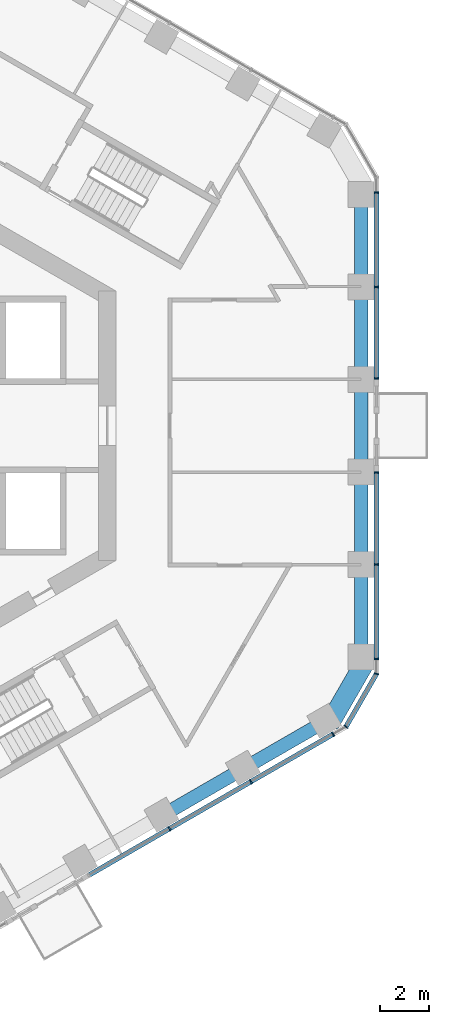
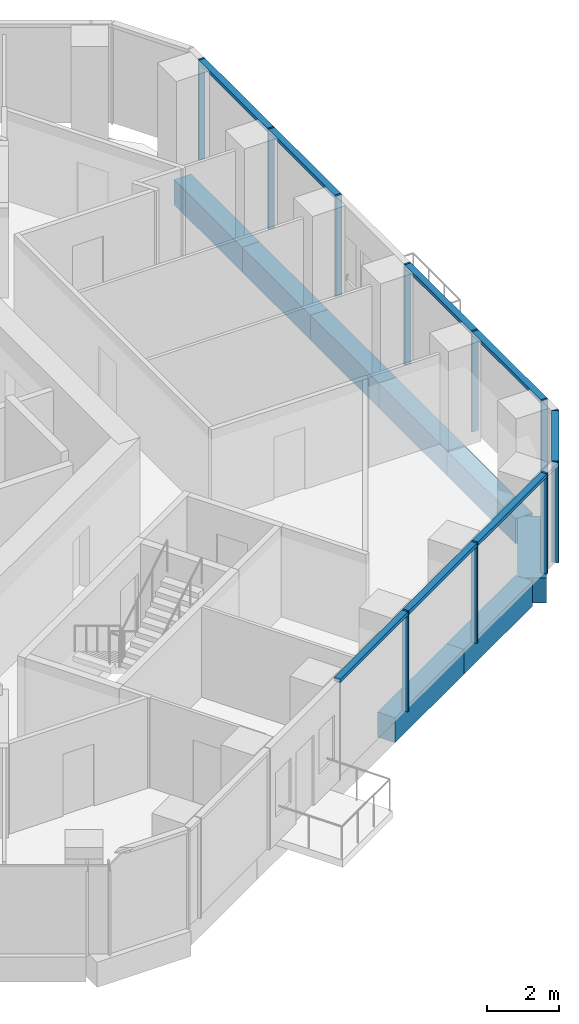
# One storey, part 5 of 20: 15 members, 8 beams, 4 elements without a shape of their own.
"""IFC4 building model written with IfcOpenShell, lengths in metres."""

from ifc_helpers import new_model, si_unit, direction, frame, origin, origin_2d, place, context, subcontext, project, spatial, rectangle, extrude, material, layer, layer_set, material_profile, profile_set, type_object, element, aggregate, save


model = new_model("IFC4")

# Units and contexts
model_context = context("Model", 3, precision=1e-05, world=origin(), true_north=direction((0.0, 1.0)))
body_context = subcontext(model_context, "Body", "Model", "MODEL_VIEW")
ifc_project = project(units=[si_unit("LENGTHUNIT", "METRE"), si_unit("AREAUNIT", "SQUARE_METRE"), si_unit("VOLUMEUNIT", "CUBIC_METRE"), si_unit("PLANEANGLEUNIT", "RADIAN"), si_unit("MASSUNIT", "GRAM", prefix="KILO")], contexts=[model_context])

# Site, building, storey
site_placement = place(None, origin())
site = spatial("IfcSite", under=ifc_project, at=site_placement, CompositionType="ELEMENT")
building_placement = place(site_placement, origin())
building = spatial("IfcBuilding", under=site, at=building_placement, Name="Ayvan Gate Tower", CompositionType="ELEMENT")
storey_placement = place(building_placement, frame((0.0, 0.0, 86.5)))
storey = spatial("IfcBuildingStorey", under=building, at=storey_placement, Name="L22", CompositionType="ELEMENT", Elevation=86.5)

# Beams
ifc_material_1 = material(Name="Concrete C40/50", Category="concrete")
ifc_material_profile_1 = material_profile(ifc_material_1, rectangle(XDim=0.800048828125, YDim=0.85009765625, at=origin_2d()), Name="RC 800x850")
ifc_profile_set_1 = profile_set([ifc_material_profile_1], Name="Concrete C40/50")
beam_type_1 = type_object("IfcBeamType", Name="Corner spandrel beam RC 800x850 C40/50", PredefinedType="BEAM", material=ifc_profile_set_1)
beam_1_placement = place(storey_placement, frame((18.176025390625, -12.173095703125, -0.77490234375), z_axis=(0.499990139034, 0.866031096941, 0.0), x_axis=(-0.866031096941, 0.499990139034, 0.0)))
element("IfcBeam", 1, at=beam_1_placement, inside=storey, type_object=beam_type_1, Name="SB-L22-36", PredefinedType="BEAM", context=body_context, shape_type="SweptSolid", body=[
    extrude(rectangle(XDim=0.800048828125, YDim=0.85009765625, at=origin_2d()), origin(), (0.0, 0.0, 1.0), 3.0),
])
ifc_material_profile_2 = material_profile(ifc_material_1, rectangle(XDim=0.550048828125, YDim=0.85009765625, at=origin_2d()), Name="RC 550x850")
ifc_profile_set_2 = profile_set([ifc_material_profile_2], Name="Concrete C40/50")
beam_type_2 = type_object("IfcBeamType", Name="Spandrel beam RC 550x850 C40/50", PredefinedType="BEAM", material=ifc_profile_set_2)
beam_2_placement = place(storey_placement, frame((19.485595703125, -9.465087890625, -0.77490234375), z_axis=(0.0, 1.0, 0.0), x_axis=(-1.0, 0.0, 0.0)))
element("IfcBeam", 2, at=beam_2_placement, inside=storey, type_object=beam_type_2, Name="SB-L22-1", PredefinedType="BEAM", context=body_context, shape_type="SweptSolid", body=[
    extrude(rectangle(XDim=0.550048828125, YDim=0.85009765625, at=origin_2d()), origin(), (0.0, 0.0, 1.0), 3.7861328125),
])
beam_3_placement = place(storey_placement, frame((19.485595703125, -5.678955078125, -0.77490234375), z_axis=(0.0, 1.0, 0.0), x_axis=(-1.0, 0.0, 0.0)))
element("IfcBeam", 3, at=beam_3_placement, inside=storey, type_object=beam_type_2, Name="SB-L22-2", PredefinedType="BEAM", context=body_context, shape_type="SweptSolid", body=[
    extrude(rectangle(XDim=0.550048828125, YDim=0.85009765625, at=origin_2d()), origin(), (0.0, 0.0, 1.0), 3.785888671875),
])
beam_4_placement = place(storey_placement, frame((19.485595703125, -1.89306640625, -0.77490234375), z_axis=(0.0, 1.0, 0.0), x_axis=(-1.0, 0.0, 0.0)))
element("IfcBeam", 4, at=beam_4_placement, inside=storey, type_object=beam_type_2, Name="SB-L22-3", PredefinedType="BEAM", context=body_context, shape_type="SweptSolid", body=[
    extrude(rectangle(XDim=0.550048828125, YDim=0.85009765625, at=origin_2d()), origin(), (0.0, 0.0, 1.0), 3.7861328125),
])
beam_5_placement = place(storey_placement, frame((19.485595703125, 1.89306640625, -0.77490234375), z_axis=(0.0, 1.0, 0.0), x_axis=(-1.0, 0.0, 0.0)))
element("IfcBeam", 5, at=beam_5_placement, inside=storey, type_object=beam_type_2, Name="SB-L22-4", PredefinedType="BEAM", context=body_context, shape_type="SweptSolid", body=[
    extrude(rectangle(XDim=0.550048828125, YDim=0.85009765625, at=origin_2d()), origin(), (0.0, 0.0, 1.0), 3.785888671875),
])
beam_6_placement = place(storey_placement, frame((19.485595703125, 5.678955078125, -0.77490234375), z_axis=(0.0, 1.0, 0.0), x_axis=(-1.0, 0.0, 0.0)))
element("IfcBeam", 6, at=beam_6_placement, inside=storey, type_object=beam_type_2, Name="SB-L22-5", PredefinedType="BEAM", context=body_context, shape_type="SweptSolid", body=[
    extrude(rectangle(XDim=0.550048828125, YDim=0.85009765625, at=origin_2d()), origin(), (0.0, 0.0, 1.0), 3.7861328125),
])
beam_7_placement = place(storey_placement, frame((11.373046875, -15.880859375, -0.77490234375), z_axis=(0.866010930507, 0.500025067614, 0.0), x_axis=(-0.500025067614, 0.866010930507, 0.0)))
element("IfcBeam", 7, at=beam_7_placement, inside=storey, type_object=beam_type_2, Name="SB-L22-34", PredefinedType="BEAM", context=body_context, shape_type="SweptSolid", body=[
    extrude(rectangle(XDim=0.550048828125, YDim=0.85009765625, at=origin_2d()), origin(), (0.0, 0.0, 1.0), 3.817626953125),
])
beam_8_placement = place(storey_placement, frame((14.67919921875, -13.971923828125, -0.77490234375), z_axis=(0.866054607372, 0.49994941449, 0.0), x_axis=(-0.49994941449, 0.866054607372, 0.0)))
element("IfcBeam", 8, at=beam_8_placement, inside=storey, type_object=beam_type_2, Name="SB-L22-35", PredefinedType="BEAM", context=body_context, shape_type="SweptSolid", body=[
    extrude(rectangle(XDim=0.550048828125, YDim=0.85009765625, at=origin_2d()), origin(), (0.0, 0.0, 1.0), 3.81787109375),
])

# Curtain wall, members
ifc_material_2 = material(Name="Bronze anodised aluminium", Category="aluminium")
ifc_layer_1 = layer(ifc_material_2, 0.199951171875)
ifc_layer_set_1 = layer_set([ifc_layer_1], Name="Bronze anodised aluminium")
curtain_wall_type_1 = type_object("IfcCurtainWallType", Name="Stick curtain wall CW-1", PredefinedType="NOTDEFINED", material=ifc_layer_set_1)
curtain_wall_1_placement = place(storey_placement, origin())
curtain_wall_1 = element("IfcCurtainWall", 9, at=curtain_wall_1_placement, inside=storey, type_object=curtain_wall_type_1, Name="Stick curtain wall CW-1 L22", PredefinedType="NOTDEFINED")
ifc_material_profile_3 = material_profile(ifc_material_2, rectangle(XDim=0.199951171875, YDim=0.06005859375, at=origin_2d()), Name="Stick curtain wall CW-1 mullion 200 x 60")
ifc_profile_set_3 = profile_set([ifc_material_profile_3], Name="Bronze anodised aluminium")
member_type_1 = type_object("IfcMemberType", Name="Stick curtain wall CW-1 mullion 200 x 60", PredefinedType="MULLION", material=ifc_profile_set_3)
member_1_placement = place(storey_placement, frame((11.682861328125, -16.408203125, 0.0), z_axis=(0.0, 0.0, 1.0), x_axis=(0.5, -0.866025403784, 0.0)))
member_1 = element("IfcMember", 10, at=member_1_placement, type_object=member_type_1, Name="CW-1 mullion 2", PredefinedType="MULLION", context=body_context, shape_type="SweptSolid", body=[
    extrude(rectangle(XDim=0.199951171875, YDim=0.06005859375, at=origin_2d()), origin(), (0.0, 0.0, 1.0), 3.39990234375),
])
member_2_placement = place(storey_placement, frame((14.997802734375, -14.494140625, 0.0), z_axis=(0.0, 0.0, 1.0), x_axis=(0.5, -0.866025403784, 0.0)))
member_2 = element("IfcMember", 11, at=member_2_placement, type_object=member_type_1, Name="CW-1 mullion 3", PredefinedType="MULLION", context=body_context, shape_type="SweptSolid", body=[
    extrude(rectangle(XDim=0.199951171875, YDim=0.06005859375, at=origin_2d()), origin(), (0.0, 0.0, 1.0), 3.39990234375),
])
member_3_placement = place(storey_placement, frame((18.34326171875, -12.5625, 0.0), z_axis=(0.0, 0.0, 1.0), x_axis=(0.5, -0.866025403784, 0.0)))
member_3 = element("IfcMember", 12, at=member_3_placement, type_object=member_type_1, Name="CW-1 mullion 4", PredefinedType="MULLION", context=body_context, shape_type="SweptSolid", body=[
    extrude(rectangle(XDim=0.199951171875, YDim=0.06005859375, at=origin_2d()), origin(), (0.0, 0.0, 1.0), 3.39990234375),
])

curtain_wall_2_placement = place(storey_placement, origin())
curtain_wall_2 = element("IfcCurtainWall", 13, at=curtain_wall_2_placement, inside=storey, type_object=curtain_wall_type_1, Name="Stick curtain wall CW-1 L22", PredefinedType="NOTDEFINED")
member_4_placement = place(storey_placement, frame((20.110595703125, -9.501708984375, 0.0), z_axis=(0.0, 0.0, 1.0), x_axis=(1.0, 0.0, 0.0)))
member_4 = element("IfcMember", 14, at=member_4_placement, type_object=member_type_1, Name="CW-1 mullion 1", PredefinedType="MULLION", context=body_context, shape_type="SweptSolid", body=[
    extrude(rectangle(XDim=0.199951171875, YDim=0.06005859375, at=origin_2d()), origin(), (0.0, 0.0, 1.0), 3.39990234375),
])
member_5_placement = place(storey_placement, frame((20.110595703125, -5.648681640625, 0.0), z_axis=(0.0, 0.0, 1.0), x_axis=(1.0, 0.0, 0.0)))
member_5 = element("IfcMember", 15, at=member_5_placement, type_object=member_type_1, Name="CW-1 mullion 2", PredefinedType="MULLION", context=body_context, shape_type="SweptSolid", body=[
    extrude(rectangle(XDim=0.199951171875, YDim=0.06005859375, at=origin_2d()), origin(), (0.0, 0.0, 1.0), 3.39990234375),
])
member_6_placement = place(storey_placement, frame((20.110595703125, -1.91259765625, 0.0), z_axis=(0.0, 0.0, 1.0), x_axis=(1.0, 0.0, 0.0)))
member_6 = element("IfcMember", 16, at=member_6_placement, type_object=member_type_1, Name="CW-1 mullion 3", PredefinedType="MULLION", context=body_context, shape_type="SweptSolid", body=[
    extrude(rectangle(XDim=0.199951171875, YDim=0.06005859375, at=origin_2d()), origin(), (0.0, 0.0, 1.0), 3.39990234375),
])

curtain_wall_3_placement = place(storey_placement, origin())
curtain_wall_3 = element("IfcCurtainWall", 17, at=curtain_wall_3_placement, inside=storey, type_object=curtain_wall_type_1, Name="Stick curtain wall CW-1 L22", PredefinedType="NOTDEFINED")
member_7_placement = place(storey_placement, frame((20.110595703125, 1.913330078125, 0.0), z_axis=(0.0, 0.0, 1.0), x_axis=(1.0, 0.0, 0.0)))
member_7 = element("IfcMember", 18, at=member_7_placement, type_object=member_type_1, Name="CW-1 mullion 1", PredefinedType="MULLION", context=body_context, shape_type="SweptSolid", body=[
    extrude(rectangle(XDim=0.199951171875, YDim=0.06005859375, at=origin_2d()), origin(), (0.0, 0.0, 1.0), 3.39990234375),
])
member_8_placement = place(storey_placement, frame((20.110595703125, 5.6494140625, 0.0), z_axis=(0.0, 0.0, 1.0), x_axis=(1.0, 0.0, 0.0)))
member_8 = element("IfcMember", 19, at=member_8_placement, type_object=member_type_1, Name="CW-1 mullion 2", PredefinedType="MULLION", context=body_context, shape_type="SweptSolid", body=[
    extrude(rectangle(XDim=0.199951171875, YDim=0.06005859375, at=origin_2d()), origin(), (0.0, 0.0, 1.0), 3.39990234375),
])
member_9_placement = place(storey_placement, frame((20.110595703125, 9.501708984375, 0.0), z_axis=(0.0, 0.0, 1.0), x_axis=(1.0, 0.0, 0.0)))
member_9 = element("IfcMember", 20, at=member_9_placement, type_object=member_type_1, Name="CW-1 mullion 3", PredefinedType="MULLION", context=body_context, shape_type="SweptSolid", body=[
    extrude(rectangle(XDim=0.199951171875, YDim=0.06005859375, at=origin_2d()), origin(), (0.0, 0.0, 1.0), 3.39990234375),
])

# Member
ifc_material_profile_4 = material_profile(ifc_material_2, rectangle(XDim=0.199951171875, YDim=0.1201171875, at=origin_2d()), Name="Stick curtain wall CW-1 transom 200 x 120")
ifc_profile_set_4 = profile_set([ifc_material_profile_4], Name="Bronze anodised aluminium")
member_type_2 = type_object("IfcMemberType", Name="Stick curtain wall CW-1 transom 200 x 120", PredefinedType="USERDEFINED", material=ifc_profile_set_4)
member_10_placement = place(storey_placement, frame((8.39453125, -18.306640625, 3.340087890625), z_axis=(0.866016417261, 0.500015564793, 0.0), x_axis=(-0.500015564793, 0.866016417261, 0.0)))
member_10 = element("IfcMember", 21, at=member_10_placement, type_object=member_type_2, Name="CW-1 transom 1", ObjectType="TRANSOM", PredefinedType="USERDEFINED", context=body_context, shape_type="SweptSolid", body=[
    extrude(rectangle(XDim=0.199951171875, YDim=0.1201171875, at=origin_2d()), origin(), (0.0, 0.0, 1.0), 11.488037109375),
])

aggregate(curtain_wall_1, [member_1, member_2, member_3, member_10])

member_11_placement = place(storey_placement, frame((20.110595703125, -9.501708984375, 3.340087890625), z_axis=(0.0, 1.0, 0.0), x_axis=(-1.0, 0.0, 0.0)))
member_11 = element("IfcMember", 22, at=member_11_placement, type_object=member_type_2, Name="CW-1 transom 1", ObjectType="TRANSOM", PredefinedType="USERDEFINED", context=body_context, shape_type="SweptSolid", body=[
    extrude(rectangle(XDim=0.199951171875, YDim=0.1201171875, at=origin_2d()), origin(), (0.0, 0.0, 1.0), 7.589111328125),
])

aggregate(curtain_wall_2, [member_4, member_5, member_6, member_11])

member_12_placement = place(storey_placement, frame((20.110595703125, 1.913330078125, 3.340087890625), z_axis=(0.0, 1.0, 0.0), x_axis=(-1.0, 0.0, 0.0)))
member_12 = element("IfcMember", 23, at=member_12_placement, type_object=member_type_2, Name="CW-1 transom 1", ObjectType="TRANSOM", PredefinedType="USERDEFINED", context=body_context, shape_type="SweptSolid", body=[
    extrude(rectangle(XDim=0.199951171875, YDim=0.1201171875, at=origin_2d()), origin(), (0.0, 0.0, 1.0), 7.58837890625),
])

aggregate(curtain_wall_3, [member_7, member_8, member_9, member_12])

# Curtain wall, members
ifc_layer_2 = layer(ifc_material_2, 0.199951171875)
ifc_layer_set_2 = layer_set([ifc_layer_2], Name="Bronze anodised aluminium")
curtain_wall_type_2 = type_object("IfcCurtainWallType", Name="Stick curtain wall CW-6", PredefinedType="NOTDEFINED", material=ifc_layer_set_2)
curtain_wall_4_placement = place(storey_placement, origin())
curtain_wall_4 = element("IfcCurtainWall", 24, at=curtain_wall_4_placement, inside=storey, type_object=curtain_wall_type_2, Name="Stick curtain wall CW-6 L22", PredefinedType="NOTDEFINED")
ifc_material_profile_5 = material_profile(ifc_material_2, rectangle(XDim=0.199951171875, YDim=0.050048828125, at=origin_2d()), Name="Stick curtain wall CW-6 mullion 200 x 50")
ifc_profile_set_5 = profile_set([ifc_material_profile_5], Name="Bronze anodised aluminium")
member_type_3 = type_object("IfcMemberType", Name="Stick curtain wall CW-6 mullion 200 x 50", PredefinedType="MULLION", material=ifc_profile_set_5)
member_13_placement = place(storey_placement, frame((18.8671875, -12.260009765625, 0.0), z_axis=(0.0, 0.0, 1.0), x_axis=(0.707106781187, -0.707106781187, 0.0)))
member_13 = element("IfcMember", 25, at=member_13_placement, type_object=member_type_3, Name="CW-6 mullion 2", PredefinedType="MULLION", context=body_context, shape_type="SweptSolid", body=[
    extrude(rectangle(XDim=0.199951171875, YDim=0.050048828125, at=origin_2d()), origin(), (0.0, 0.0, 1.0), 3.39990234375),
])
member_14_placement = place(storey_placement, frame((20.110595703125, -10.106689453125, 0.0), z_axis=(0.0, 0.0, 1.0), x_axis=(0.965925826289, -0.258819045103, 0.0)))
member_14 = element("IfcMember", 26, at=member_14_placement, type_object=member_type_3, Name="CW-6 mullion 3", PredefinedType="MULLION", context=body_context, shape_type="SweptSolid", body=[
    extrude(rectangle(XDim=0.199951171875, YDim=0.050048828125, at=origin_2d()), origin(), (0.0, 0.0, 1.0), 3.39990234375),
])
ifc_material_profile_6 = material_profile(ifc_material_2, rectangle(XDim=0.199951171875, YDim=0.1201171875, at=origin_2d()), Name="Stick curtain wall CW-6 transom 200 x 120")
ifc_profile_set_6 = profile_set([ifc_material_profile_6], Name="Bronze anodised aluminium")
member_type_4 = type_object("IfcMemberType", Name="Stick curtain wall CW-6 transom 200 x 120", PredefinedType="USERDEFINED", material=ifc_profile_set_6)
member_15_placement = place(storey_placement, frame((18.8798828125, -12.238525390625, 3.340087890625), z_axis=(0.499997116, 0.866027068856, 0.0), x_axis=(-0.866027068856, 0.499997116, 0.0)))
member_15 = element("IfcMember", 27, at=member_15_placement, type_object=member_type_4, Name="CW-6 transom 2", ObjectType="TRANSOM", PredefinedType="USERDEFINED", context=body_context, shape_type="SweptSolid", body=[
    extrude(rectangle(XDim=0.199951171875, YDim=0.1201171875, at=origin_2d()), origin(), (0.0, 0.0, 1.0), 2.4365234375),
])
aggregate(curtain_wall_4, [member_13, member_14, member_15])

save(model, "model.ifc")
